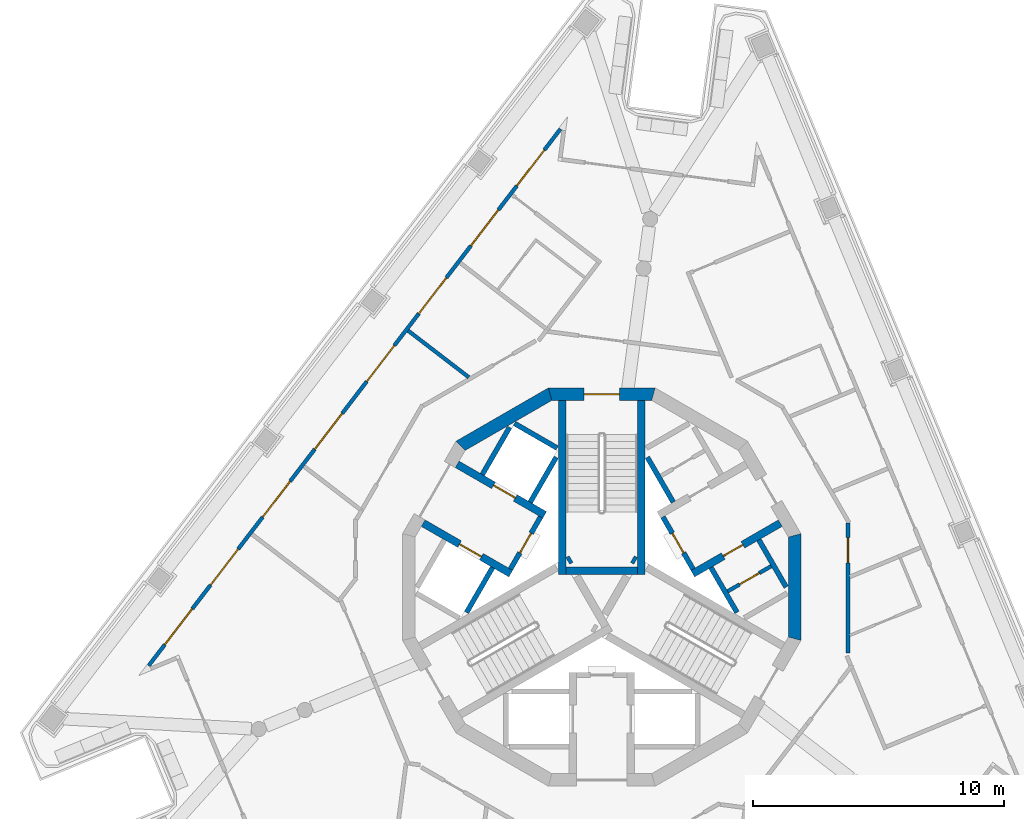
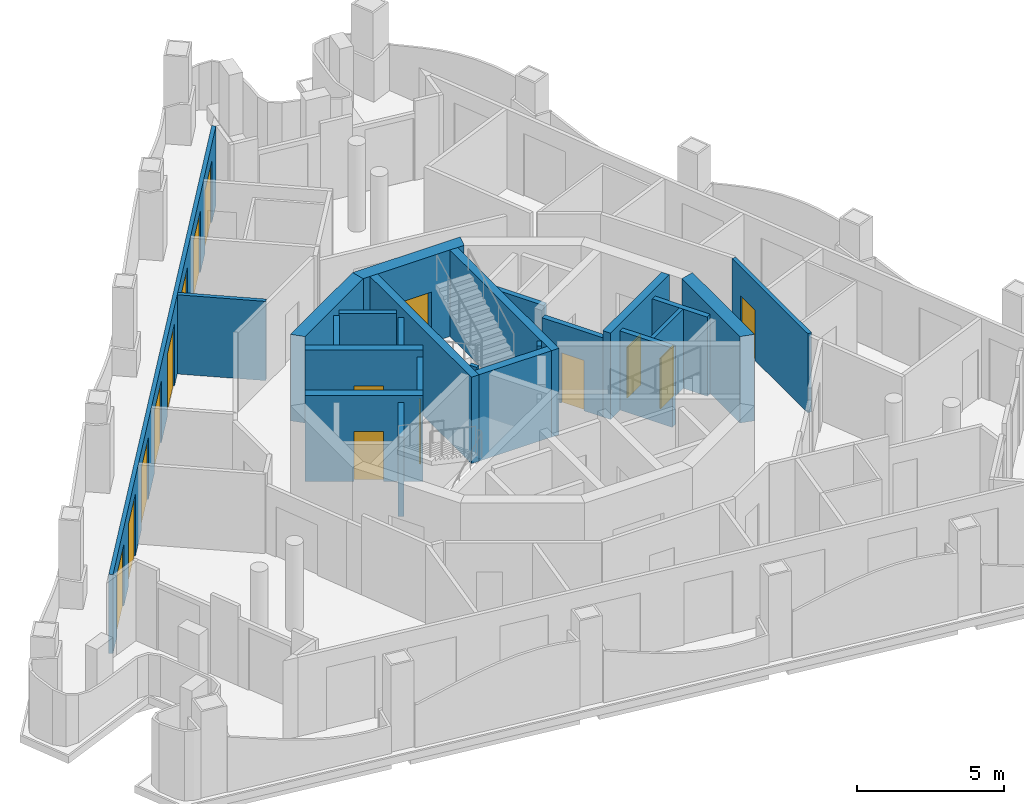
# One storey, part 4 of 13: 24 walls, 16 doors, 16 openings.
"""IFC4 building model written with IfcOpenShell, lengths in metres."""

from ifc_helpers import new_model, si_unit, direction, frame, frame_2d, origin, place, context, subcontext, project, spatial, polyline, rectangle, outline, extrude, material, layer, layer_set, type_object, element, fill, save


model = new_model("IFC4")

# Units and contexts
model_context = context("Model", 3, precision=1e-05, world=origin(), true_north=direction((0.0, 1.0)))
body_context = subcontext(model_context, "Body", "Model", "MODEL_VIEW")
ifc_project = project(units=[si_unit("LENGTHUNIT", "METRE"), si_unit("AREAUNIT", "SQUARE_METRE"), si_unit("VOLUMEUNIT", "CUBIC_METRE"), si_unit("PLANEANGLEUNIT", "RADIAN"), si_unit("MASSUNIT", "GRAM", prefix="KILO")], contexts=[model_context])

# Site, building, storey
site_placement = place(None, origin())
site = spatial("IfcSite", under=ifc_project, at=site_placement, CompositionType="ELEMENT")
building_placement = place(site_placement, origin())
building = spatial("IfcBuilding", under=site, at=building_placement, Name="Trine Commons Tower", CompositionType="ELEMENT")
storey_placement = place(building_placement, frame((0.0, 0.0, 286.199951171875)))
storey = spatial("IfcBuildingStorey", under=building, at=storey_placement, Name="L75", CompositionType="ELEMENT", Elevation=286.199951171875)

# Wall, opening, door
ifc_material_1 = material(Name="Plasterboard partition on steel studs", Category="steel")
ifc_layer_1 = layer(ifc_material_1, 0.14990234375)
ifc_layer_set_1 = layer_set([ifc_layer_1], Name="Plasterboard partition on steel studs")
wall_type_1 = type_object("IfcWallType", Name="Core room partition 150 mm, EI 60", PredefinedType="PARTITIONING", material=ifc_layer_set_1)
wall_1_placement = place(storey_placement, frame((85.006103515625, 62.330078125, 0.0), z_axis=(0.0, 0.0, 1.0), x_axis=(0.866010750942, 0.50002537861, 0.0)))
wall_1 = element("IfcWall", 1, at=wall_1_placement, inside=storey, type_object=wall_type_1, Name="Core room partition L75", PredefinedType="PARTITIONING", context=body_context, shape_type="SweptSolid", body=[
    extrude(rectangle(XDim=2.0, YDim=0.14990234375, at=frame_2d((1.0, 0.0))), origin(), (0.0, 0.0, 1.0), 3.300048828125),
])
opening_1_placement = place(wall_1_placement, frame((0.549560546875, 0.0, 0.0)))
opening_1 = element("IfcOpeningElement", 2, at=opening_1_placement, cuts=wall_1, Name="Opening K19.13", PredefinedType="OPENING", context=body_context, shape_type="SweptSolid", body=[
    extrude(rectangle(XDim=0.89990234375, YDim=2.10009765625, at=frame_2d((0.449951171875, 1.050048828125))), frame((0.0, 0.0849609375, 0.0), z_axis=(0.0, -1.0, 0.0), x_axis=(1.0, 0.0, 0.0)), (0.0, 0.0, 1.0), 0.169921875),
])
ifc_material_2 = material(Name="Steel door leaf, fire-rated", Category="steel")
door_type_1 = type_object("IfcDoorType", Name="Core room door, single leaf 900 x 2100, FD30S", OperationType="SINGLE_SWING_LEFT", PredefinedType="DOOR", material=ifc_material_2)
door_1_placement = place(opening_1_placement, frame((0.89990234375, 0.0, 0.0), z_axis=(0.0, 0.0, 1.0), x_axis=(-1.0, 0.0, 0.0)))
door_1 = element("IfcDoor", 3, at=door_1_placement, inside=storey, type_object=door_type_1, Name="Door to Parcel store L75", OperationType="SINGLE_SWING_LEFT", OverallHeight=2.10009765625, OverallWidth=0.89990234375, PredefinedType="DOOR", context=body_context, shape_type="SweptSolid", body=[
    extrude(rectangle(XDim=0.89990234375, YDim=2.10009765625, at=frame_2d((0.449951171875, 1.050048828125))), frame((0.0, 0.02490234375, 0.0), z_axis=(0.0, -1.0, 0.0), x_axis=(1.0, 0.0, 0.0)), (0.0, 0.0, 1.0), 0.050048828125),
])
fill(opening_1, door_1)

# Wall, openings, doors
ifc_material_3 = material(Name="Aluminium-framed insulated wall panel", Category="aluminium")
ifc_layer_2 = layer(ifc_material_3, 0.14990234375)
ifc_layer_set_2 = layer_set([ifc_layer_2], Name="Aluminium-framed insulated wall panel")
wall_type_2 = type_object("IfcWallType", Name="Glazed frame wall 150, EI 60", PredefinedType="SOLIDWALL", material=ifc_layer_set_2)
wall_2_placement = place(storey_placement, frame((61.8876953125, 59.251708984375, 0.0), z_axis=(0.0, 0.0, 1.0), x_axis=(0.608757974151, 0.793355991284, 0.0)))
wall_2 = element("IfcWall", 4, at=wall_2_placement, inside=storey, type_object=wall_type_2, Name="Glazed frame wall F1", PredefinedType="SOLIDWALL", context=body_context, shape_type="SweptSolid", body=[
    extrude(outline(polyline([(0.1494140625, 0.074951171875), (0.1494140625, -0.074951171875), (27.056884765625, -0.074951171875), (27.056884765625, 0.074951171875), (0.1494140625, 0.074951171875)])), origin(), (0.0, 0.0, 1.0), 3.300048828125),
])
opening_2_placement = place(wall_2_placement, frame((1.200439453125, 0.0, 0.0)))
opening_2 = element("IfcOpeningElement", 5, at=opening_2_placement, cuts=wall_2, Name="Opening BD-8F1-01", PredefinedType="OPENING", context=body_context, shape_type="SweptSolid", body=[
    extrude(rectangle(XDim=1.800048828125, YDim=2.60009765625, at=frame_2d((0.89990234375, 1.300048828125))), frame((0.0, 0.0849609375, 0.0), z_axis=(0.0, -1.0, 0.0), x_axis=(1.0, 0.0, 0.0)), (0.0, 0.0, 1.0), 0.169921875),
])
opening_3_placement = place(wall_2_placement, frame((4.201171875, 0.0, 0.0)))
opening_3 = element("IfcOpeningElement", 6, at=opening_3_placement, cuts=wall_2, Name="Opening BD-8F1-02", PredefinedType="OPENING", context=body_context, shape_type="SweptSolid", body=[
    extrude(rectangle(XDim=1.800048828125, YDim=2.60009765625, at=frame_2d((0.89990234375, 1.300048828125))), frame((0.0, 0.0849609375, 0.0), z_axis=(0.0, -1.0, 0.0), x_axis=(1.0, 0.0, 0.0)), (0.0, 0.0, 1.0), 0.169921875),
])
opening_4_placement = place(wall_2_placement, frame((7.60205078125, 0.0, 0.0)))
opening_4 = element("IfcOpeningElement", 7, at=opening_4_placement, cuts=wall_2, Name="Opening BD-8F1-03", PredefinedType="OPENING", context=body_context, shape_type="SweptSolid", body=[
    extrude(rectangle(XDim=1.800048828125, YDim=2.60009765625, at=frame_2d((0.89990234375, 1.300048828125))), frame((0.0, 0.0849609375, 0.0), z_axis=(0.0, -1.0, 0.0), x_axis=(1.0, 0.0, 0.0)), (0.0, 0.0, 1.0), 0.169921875),
])
opening_5_placement = place(wall_2_placement, frame((11.002685546875, 0.0, 0.0)))
opening_5 = element("IfcOpeningElement", 8, at=opening_5_placement, cuts=wall_2, Name="Opening BD-8F1-04", PredefinedType="OPENING", context=body_context, shape_type="SweptSolid", body=[
    extrude(rectangle(XDim=1.800048828125, YDim=2.60009765625, at=frame_2d((0.89990234375, 1.300048828125))), frame((0.0, 0.0849609375, 0.0), z_axis=(0.0, -1.0, 0.0), x_axis=(1.0, 0.0, 0.0)), (0.0, 0.0, 1.0), 0.169921875),
])
opening_6_placement = place(wall_2_placement, frame((14.403564453125, 0.0, 0.0)))
opening_6 = element("IfcOpeningElement", 9, at=opening_6_placement, cuts=wall_2, Name="Opening BD-8F1-05", PredefinedType="OPENING", context=body_context, shape_type="SweptSolid", body=[
    extrude(rectangle(XDim=1.800048828125, YDim=2.60009765625, at=frame_2d((0.89990234375, 1.300048828125))), frame((0.0, 0.0849609375, 0.0), z_axis=(0.0, -1.0, 0.0), x_axis=(1.0, 0.0, 0.0)), (0.0, 0.0, 1.0), 0.169921875),
])
opening_7_placement = place(wall_2_placement, frame((17.804443359375, 0.0, 0.0)))
opening_7 = element("IfcOpeningElement", 10, at=opening_7_placement, cuts=wall_2, Name="Opening BD-8F1-06", PredefinedType="OPENING", context=body_context, shape_type="SweptSolid", body=[
    extrude(rectangle(XDim=1.800048828125, YDim=2.60009765625, at=frame_2d((0.89990234375, 1.300048828125))), frame((0.0, 0.0849609375, 0.0), z_axis=(0.0, -1.0, 0.0), x_axis=(1.0, 0.0, 0.0)), (0.0, 0.0, 1.0), 0.169921875),
])
opening_8_placement = place(wall_2_placement, frame((21.205078125, 0.0, 0.0)))
opening_8 = element("IfcOpeningElement", 11, at=opening_8_placement, cuts=wall_2, Name="Opening BD-8F1-07", PredefinedType="OPENING", context=body_context, shape_type="SweptSolid", body=[
    extrude(rectangle(XDim=1.800048828125, YDim=2.60009765625, at=frame_2d((0.89990234375, 1.300048828125))), frame((0.0, 0.0849609375, 0.0), z_axis=(0.0, -1.0, 0.0), x_axis=(1.0, 0.0, 0.0)), (0.0, 0.0, 1.0), 0.169921875),
])
opening_9_placement = place(wall_2_placement, frame((24.2060546875, 0.0, 0.0)))
opening_9 = element("IfcOpeningElement", 12, at=opening_9_placement, cuts=wall_2, Name="Opening BD-8F1-08", PredefinedType="OPENING", context=body_context, shape_type="SweptSolid", body=[
    extrude(rectangle(XDim=1.800048828125, YDim=2.60009765625, at=frame_2d((0.89990234375, 1.300048828125))), frame((0.0, 0.0849609375, 0.0), z_axis=(0.0, -1.0, 0.0), x_axis=(1.0, 0.0, 0.0)), (0.0, 0.0, 1.0), 0.169921875),
])
ifc_material_4 = material(Name="Anodised aluminium frame with double glazing", Category="aluminium")
door_type_2 = type_object("IfcDoorType", Name="Sliding loggia door 1800x2600", OperationType="SLIDING_TO_LEFT", PredefinedType="DOOR", material=ifc_material_4)
door_2_placement = place(opening_2_placement, origin())
door_2 = element("IfcDoor", 13, at=door_2_placement, inside=storey, type_object=door_type_2, Name="Loggia door F1 1", OperationType="SLIDING_TO_LEFT", OverallHeight=2.60009765625, OverallWidth=1.800048828125, PredefinedType="DOOR", context=body_context, shape_type="SweptSolid", body=[
    extrude(rectangle(XDim=1.800048828125, YDim=2.60009765625, at=frame_2d((0.89990234375, 1.300048828125))), frame((0.0, 0.02490234375, 0.0), z_axis=(0.0, -1.0, 0.0), x_axis=(1.0, 0.0, 0.0)), (0.0, 0.0, 1.0), 0.050048828125),
])
fill(opening_2, door_2)
door_3_placement = place(opening_3_placement, origin())
door_3 = element("IfcDoor", 14, at=door_3_placement, inside=storey, type_object=door_type_2, Name="Loggia door F1 2", OperationType="SLIDING_TO_LEFT", OverallHeight=2.60009765625, OverallWidth=1.800048828125, PredefinedType="DOOR", context=body_context, shape_type="SweptSolid", body=[
    extrude(rectangle(XDim=1.800048828125, YDim=2.60009765625, at=frame_2d((0.89990234375, 1.300048828125))), frame((0.0, 0.02490234375, 0.0), z_axis=(0.0, -1.0, 0.0), x_axis=(1.0, 0.0, 0.0)), (0.0, 0.0, 1.0), 0.050048828125),
])
fill(opening_3, door_3)
door_4_placement = place(opening_4_placement, origin())
door_4 = element("IfcDoor", 15, at=door_4_placement, inside=storey, type_object=door_type_2, Name="Loggia door F1 3", OperationType="SLIDING_TO_LEFT", OverallHeight=2.60009765625, OverallWidth=1.800048828125, PredefinedType="DOOR", context=body_context, shape_type="SweptSolid", body=[
    extrude(rectangle(XDim=1.800048828125, YDim=2.60009765625, at=frame_2d((0.89990234375, 1.300048828125))), frame((0.0, 0.02490234375, 0.0), z_axis=(0.0, -1.0, 0.0), x_axis=(1.0, 0.0, 0.0)), (0.0, 0.0, 1.0), 0.050048828125),
])
fill(opening_4, door_4)
door_5_placement = place(opening_5_placement, origin())
door_5 = element("IfcDoor", 16, at=door_5_placement, inside=storey, type_object=door_type_2, Name="Loggia door F1 4", OperationType="SLIDING_TO_LEFT", OverallHeight=2.60009765625, OverallWidth=1.800048828125, PredefinedType="DOOR", context=body_context, shape_type="SweptSolid", body=[
    extrude(rectangle(XDim=1.800048828125, YDim=2.60009765625, at=frame_2d((0.89990234375, 1.300048828125))), frame((0.0, 0.02490234375, 0.0), z_axis=(0.0, -1.0, 0.0), x_axis=(1.0, 0.0, 0.0)), (0.0, 0.0, 1.0), 0.050048828125),
])
fill(opening_5, door_5)
door_6_placement = place(opening_6_placement, origin())
door_6 = element("IfcDoor", 17, at=door_6_placement, inside=storey, type_object=door_type_2, Name="Loggia door F1 5", OperationType="SLIDING_TO_LEFT", OverallHeight=2.60009765625, OverallWidth=1.800048828125, PredefinedType="DOOR", context=body_context, shape_type="SweptSolid", body=[
    extrude(rectangle(XDim=1.800048828125, YDim=2.60009765625, at=frame_2d((0.89990234375, 1.300048828125))), frame((0.0, 0.02490234375, 0.0), z_axis=(0.0, -1.0, 0.0), x_axis=(1.0, 0.0, 0.0)), (0.0, 0.0, 1.0), 0.050048828125),
])
fill(opening_6, door_6)
door_7_placement = place(opening_7_placement, origin())
door_7 = element("IfcDoor", 18, at=door_7_placement, inside=storey, type_object=door_type_2, Name="Loggia door F1 6", OperationType="SLIDING_TO_LEFT", OverallHeight=2.60009765625, OverallWidth=1.800048828125, PredefinedType="DOOR", context=body_context, shape_type="SweptSolid", body=[
    extrude(rectangle(XDim=1.800048828125, YDim=2.60009765625, at=frame_2d((0.89990234375, 1.300048828125))), frame((0.0, 0.02490234375, 0.0), z_axis=(0.0, -1.0, 0.0), x_axis=(1.0, 0.0, 0.0)), (0.0, 0.0, 1.0), 0.050048828125),
])
fill(opening_7, door_7)
door_8_placement = place(opening_8_placement, origin())
door_8 = element("IfcDoor", 19, at=door_8_placement, inside=storey, type_object=door_type_2, Name="Loggia door F1 7", OperationType="SLIDING_TO_LEFT", OverallHeight=2.60009765625, OverallWidth=1.800048828125, PredefinedType="DOOR", context=body_context, shape_type="SweptSolid", body=[
    extrude(rectangle(XDim=1.800048828125, YDim=2.60009765625, at=frame_2d((0.89990234375, 1.300048828125))), frame((0.0, 0.02490234375, 0.0), z_axis=(0.0, -1.0, 0.0), x_axis=(1.0, 0.0, 0.0)), (0.0, 0.0, 1.0), 0.050048828125),
])
fill(opening_8, door_8)
door_9_placement = place(opening_9_placement, origin())
door_9 = element("IfcDoor", 20, at=door_9_placement, inside=storey, type_object=door_type_2, Name="Loggia door F1 8", OperationType="SLIDING_TO_LEFT", OverallHeight=2.60009765625, OverallWidth=1.800048828125, PredefinedType="DOOR", context=body_context, shape_type="SweptSolid", body=[
    extrude(rectangle(XDim=1.800048828125, YDim=2.60009765625, at=frame_2d((0.89990234375, 1.300048828125))), frame((0.0, 0.02490234375, 0.0), z_axis=(0.0, -1.0, 0.0), x_axis=(1.0, 0.0, 0.0)), (0.0, 0.0, 1.0), 0.050048828125),
])
fill(opening_9, door_9)

# Wall, opening, door
ifc_material_5 = material(Name="Fire-rated gypsum shaft wall system")
ifc_layer_3 = layer(ifc_material_5, 0.199951171875)
ifc_layer_set_3 = layer_set([ifc_layer_3], Name="Fire-rated gypsum shaft wall system")
wall_type_3 = type_object("IfcWallType", Name="Lobby end wall 200 mm, EI 120", PredefinedType="PARTITIONING", material=ifc_layer_set_3)
wall_3_placement = place(storey_placement, frame((77.569091796875, 65.2890625, 0.0), z_axis=(0.0, 0.0, 1.0), x_axis=(-0.50012165622, -0.865955154139, 0.0)))
wall_3 = element("IfcWall", 21, at=wall_3_placement, inside=storey, type_object=wall_type_3, Name="Lobby end wall L75", PredefinedType="PARTITIONING", context=body_context, shape_type="SweptSolid", body=[
    extrude(rectangle(XDim=2.39990234375, YDim=0.199951171875, at=frame_2d((1.199951171875, 0.0))), origin(), (0.0, 0.0, 1.0), 3.300048828125),
])
opening_10_placement = place(wall_3_placement, frame((0.749755859375, 0.0, 0.0)))
opening_10 = element("IfcOpeningElement", 22, at=opening_10_placement, cuts=wall_3, Name="Opening K19.07", PredefinedType="OPENING", context=body_context, shape_type="SweptSolid", body=[
    extrude(rectangle(XDim=0.89990234375, YDim=2.10009765625, at=frame_2d((0.449951171875, 1.050048828125))), frame((0.0, 0.10986328125, 0.0), z_axis=(0.0, -1.0, 0.0), x_axis=(1.0, 0.0, 0.0)), (0.0, 0.0, 1.0), 0.219970703125),
])
door_type_3 = type_object("IfcDoorType", Name="Riser access door, single leaf 900 x 2100, FD60", OperationType="SINGLE_SWING_LEFT", PredefinedType="DOOR", material=ifc_material_2)
door_10_placement = place(opening_10_placement, frame((0.89990234375, 0.0, 0.0), z_axis=(0.0, 0.0, 1.0), x_axis=(-1.0, 0.0, 0.0)))
door_10 = element("IfcDoor", 23, at=door_10_placement, inside=storey, type_object=door_type_3, Name="Riser door, Mechanical riser L75", OperationType="SINGLE_SWING_RIGHT", OverallHeight=2.10009765625, OverallWidth=0.89990234375, PredefinedType="DOOR", context=body_context, shape_type="SweptSolid", body=[
    extrude(rectangle(XDim=0.89990234375, YDim=2.10009765625, at=frame_2d((0.449951171875, 1.050048828125))), frame((0.0, 0.02490234375, 0.0), z_axis=(0.0, -1.0, 0.0), x_axis=(1.0, 0.0, 0.0)), (0.0, 0.0, 1.0), 0.050048828125),
])
fill(opening_10, door_10)

wall_4_placement = place(storey_placement, frame((83.631103515625, 63.2109375, 0.0), z_axis=(0.0, 0.0, 1.0), x_axis=(-0.50012165622, 0.865955154139, 0.0)))
wall_4 = element("IfcWall", 24, at=wall_4_placement, inside=storey, type_object=wall_type_3, Name="Lobby end wall L75", PredefinedType="PARTITIONING", context=body_context, shape_type="SweptSolid", body=[
    extrude(rectangle(XDim=2.39990234375, YDim=0.199951171875, at=frame_2d((1.199951171875, 0.0))), origin(), (0.0, 0.0, 1.0), 3.300048828125),
])
opening_11_placement = place(wall_4_placement, frame((0.749755859375, 0.0, 0.0)))
opening_11 = element("IfcOpeningElement", 25, at=opening_11_placement, cuts=wall_4, Name="Opening K19.05", PredefinedType="OPENING", context=body_context, shape_type="SweptSolid", body=[
    extrude(rectangle(XDim=0.89990234375, YDim=2.10009765625, at=frame_2d((0.449951171875, 1.050048828125))), frame((0.0, 0.10986328125, 0.0), z_axis=(0.0, -1.0, 0.0), x_axis=(1.0, 0.0, 0.0)), (0.0, 0.0, 1.0), 0.219970703125),
])
door_11_placement = place(opening_11_placement, frame((0.89990234375, 0.0, 0.0), z_axis=(0.0, 0.0, 1.0), x_axis=(-1.0, 0.0, 0.0)))
door_11 = element("IfcDoor", 26, at=door_11_placement, inside=storey, type_object=door_type_3, Name="Riser door, Electrical riser L75", OperationType="SINGLE_SWING_LEFT", OverallHeight=2.10009765625, OverallWidth=0.89990234375, PredefinedType="DOOR", context=body_context, shape_type="SweptSolid", body=[
    extrude(rectangle(XDim=0.89990234375, YDim=2.10009765625, at=frame_2d((0.449951171875, 1.050048828125))), frame((0.0, 0.02490234375, 0.0), z_axis=(0.0, -1.0, 0.0), x_axis=(1.0, 0.0, 0.0)), (0.0, 0.0, 1.0), 0.050048828125),
])
fill(opening_11, door_11)

ifc_material_6 = material(Name="Concrete C50/60", Category="concrete")
ifc_layer_4 = layer(ifc_material_6, 0.300048828125)
ifc_layer_set_4 = layer_set([ifc_layer_4], Name="Concrete C50/60")
wall_type_4 = type_object("IfcWallType", Name="RC shear wall 300 mm, C50/60", PredefinedType="SHEAR", material=ifc_layer_set_4)
wall_5_placement = place(storey_placement, frame((76.381103515625, 63.031005859375, 0.0), z_axis=(0.0, 0.0, 1.0), x_axis=(-0.866071331441, 0.499920442526, 0.0)))
wall_5 = element("IfcWall", 27, at=wall_5_placement, inside=storey, type_object=wall_type_4, Name="Core cross wall SWD-01 L75", PredefinedType="SHEAR", context=body_context, shape_type="SweptSolid", body=[
    extrude(rectangle(XDim=4.020751953125, YDim=0.300048828125, at=frame_2d((2.01025390625, 0.0))), origin(), (0.0, 0.0, 1.0), 3.60009765625),
])
opening_12_placement = place(wall_5_placement, frame((1.350341796875, 0.0, 0.0)))
opening_12 = element("IfcOpeningElement", 28, at=opening_12_placement, cuts=wall_5, Name="Opening LD7", PredefinedType="OPENING", context=body_context, shape_type="SweptSolid", body=[
    extrude(rectangle(XDim=1.0, YDim=2.10009765625, at=frame_2d((0.5, 1.050048828125))), frame((0.0, 0.159912109375, 0.0), z_axis=(0.0, -1.0, 0.0), x_axis=(1.0, 0.0, 0.0)), (0.0, 0.0, 1.0), 0.320068359375),
])
ifc_material_7 = material(Name="Stainless steel sliding door leaves", Category="steel")
door_type_4 = type_object("IfcDoorType", Name="Lift landing door, centre-opening sliding 1000 x 2100, FD90", OperationType="DOUBLE_DOOR_SLIDING", PredefinedType="DOOR", material=ifc_material_7)
door_12_placement = place(opening_12_placement, origin())
door_12 = element("IfcDoor", 29, at=door_12_placement, inside=storey, type_object=door_type_4, Name="Lift landing door HR3 L75", OperationType="DOUBLE_DOOR_SLIDING", OverallHeight=2.10009765625, OverallWidth=1.0, PredefinedType="DOOR", context=body_context, shape_type="SweptSolid", body=[
    extrude(rectangle(XDim=1.0, YDim=2.10009765625, at=frame_2d((0.5, 1.050048828125))), frame((0.0, 0.02490234375, 0.0), z_axis=(0.0, -1.0, 0.0), x_axis=(1.0, 0.0, 0.0)), (0.0, 0.0, 1.0), 0.050048828125),
])
fill(opening_12, door_12)

wall_6_placement = place(storey_placement, frame((77.73095703125, 65.368896484375, 0.0), z_axis=(0.0, 0.0, 1.0), x_axis=(-0.866056154689, 0.499946734088, 0.0)))
wall_6 = element("IfcWall", 30, at=wall_6_placement, inside=storey, type_object=wall_type_4, Name="Core cross wall SWD-02 L75", PredefinedType="SHEAR", context=body_context, shape_type="SweptSolid", body=[
    extrude(rectangle(XDim=4.0205078125, YDim=0.300048828125, at=frame_2d((2.01025390625, 0.0))), origin(), (0.0, 0.0, 1.0), 3.60009765625),
])
opening_13_placement = place(wall_6_placement, frame((1.350341796875, 0.0, 0.0)))
opening_13 = element("IfcOpeningElement", 31, at=opening_13_placement, cuts=wall_6, Name="Opening LD8", PredefinedType="OPENING", context=body_context, shape_type="SweptSolid", body=[
    extrude(rectangle(XDim=1.0, YDim=2.10009765625, at=frame_2d((0.5, 1.050048828125))), frame((0.0, 0.159912109375, 0.0), z_axis=(0.0, -1.0, 0.0), x_axis=(1.0, 0.0, 0.0)), (0.0, 0.0, 1.0), 0.320068359375),
])
door_13_placement = place(opening_13_placement, origin())
door_13 = element("IfcDoor", 32, at=door_13_placement, inside=storey, type_object=door_type_4, Name="Lift landing door HR4 L75", OperationType="DOUBLE_DOOR_SLIDING", OverallHeight=2.10009765625, OverallWidth=1.0, PredefinedType="DOOR", context=body_context, shape_type="SweptSolid", body=[
    extrude(rectangle(XDim=1.0, YDim=2.10009765625, at=frame_2d((0.5, 1.050048828125))), frame((0.0, 0.02490234375, 0.0), z_axis=(0.0, -1.0, 0.0), x_axis=(1.0, 0.0, 0.0)), (0.0, 0.0, 1.0), 0.050048828125),
])
fill(opening_13, door_13)

wall_7_placement = place(storey_placement, frame((83.618896484375, 63.031005859375, 0.0), z_axis=(0.0, 0.0, 1.0), x_axis=(0.866071331441, 0.499920442526, 0.0)))
wall_7 = element("IfcWall", 33, at=wall_7_placement, inside=storey, type_object=wall_type_4, Name="Core cross wall SWD-06 L75", PredefinedType="SHEAR", context=body_context, shape_type="SweptSolid", body=[
    extrude(rectangle(XDim=4.020751953125, YDim=0.300048828125, at=frame_2d((2.01025390625, 0.0))), origin(), (0.0, 0.0, 1.0), 3.60009765625),
])
opening_14_placement = place(wall_7_placement, frame((1.400390625, 0.0, 0.0)))
opening_14 = element("IfcOpeningElement", 34, at=opening_14_placement, cuts=wall_7, Name="Opening K19.12", PredefinedType="OPENING", context=body_context, shape_type="SweptSolid", body=[
    extrude(rectangle(XDim=0.89990234375, YDim=2.10009765625, at=frame_2d((0.449951171875, 1.050048828125))), frame((0.0, 0.159912109375, 0.0), z_axis=(0.0, -1.0, 0.0), x_axis=(1.0, 0.0, 0.0)), (0.0, 0.0, 1.0), 0.320068359375),
])
door_14_placement = place(opening_14_placement, frame((0.89990234375, 0.0, 0.0), z_axis=(0.0, 0.0, 1.0), x_axis=(-1.0, 0.0, 0.0)))
door_14 = element("IfcDoor", 35, at=door_14_placement, inside=storey, type_object=door_type_1, Name="Door to Comms room L75", OperationType="SINGLE_SWING_LEFT", OverallHeight=2.10009765625, OverallWidth=0.89990234375, PredefinedType="DOOR", context=body_context, shape_type="SweptSolid", body=[
    extrude(rectangle(XDim=0.89990234375, YDim=2.10009765625, at=frame_2d((0.449951171875, 1.050048828125))), frame((0.0, 0.02490234375, 0.0), z_axis=(0.0, -1.0, 0.0), x_axis=(1.0, 0.0, 0.0)), (0.0, 0.0, 1.0), 0.050048828125),
])
fill(opening_14, door_14)

# Walls
wall_8_placement = place(storey_placement, frame((78.425048828125, 63.0009765625, 0.0), z_axis=(0.0, 0.0, 1.0), x_axis=(0.0, 1.0, 0.0)))
element("IfcWall", 36, at=wall_8_placement, inside=storey, type_object=wall_type_4, Name="Core cross wall SWD-08 L75", PredefinedType="SHEAR", context=body_context, shape_type="SweptSolid", body=[
    extrude(rectangle(XDim=6.919921875, YDim=0.300048828125, at=frame_2d((3.4599609375, 0.0))), origin(), (0.0, 0.0, 1.0), 3.60009765625),
])
for number, where, z_axis, x_axis, name in (
    (37, (78.779052734375, 63.614013671875, 0.0), (0.0, 0.0, 1.0), (-0.867737973955, -0.497021939713, 0.0), "Core cross wall SWD-09 L75"),
    (38, (81.220947265625, 63.614013671875, 0.0), (0.0, 0.0, 1.0), (0.867737973955, -0.497021939713, 0.0), "Core cross wall SWD-15 L75"),
):
    element("IfcWall", number, at=place(storey_placement, frame(where, z_axis=z_axis, x_axis=x_axis)), inside=storey, type_object=wall_type_4, Name=name, PredefinedType="SHEAR", context=body_context, shape_type="SweptSolid", body=[
        extrude(rectangle(XDim=0.14892578125, YDim=0.300048828125, at=frame_2d((0.074462890625, 0.0))), origin(), (0.0, 0.0, 1.0), 3.60009765625),
    ])
wall_9_placement = place(storey_placement, frame((81.425048828125, 63.15087890625, 0.0), z_axis=(0.0, 0.0, 1.0), x_axis=(-1.0, 0.0, 0.0)))
element("IfcWall", 39, at=wall_9_placement, inside=storey, type_object=wall_type_4, Name="Core cross wall SWD-16 L75", PredefinedType="SHEAR", context=body_context, shape_type="SweptSolid", body=[
    extrude(rectangle(XDim=2.85009765625, YDim=0.300048828125, at=frame_2d((1.425048828125, 0.0))), origin(), (0.0, 0.0, 1.0), 3.60009765625),
])
wall_10_placement = place(storey_placement, frame((81.574951171875, 63.0009765625, 0.0), z_axis=(0.0, 0.0, 1.0), x_axis=(0.0, 1.0, 0.0)))
element("IfcWall", 40, at=wall_10_placement, inside=storey, type_object=wall_type_4, Name="Core cross wall SWD-17 L75", PredefinedType="SHEAR", context=body_context, shape_type="SweptSolid", body=[
    extrude(rectangle(XDim=6.919921875, YDim=0.300048828125, at=frame_2d((3.4599609375, 0.0))), origin(), (0.0, 0.0, 1.0), 3.60009765625),
])
ifc_layer_5 = layer(ifc_material_6, 0.5)
ifc_layer_set_5 = layer_set([ifc_layer_5], Name="Concrete C50/60")
wall_type_5 = type_object("IfcWallType", Name="RC shear wall 500 mm, C50/60", PredefinedType="SHEAR", material=ifc_layer_set_5)
wall_11_placement = place(storey_placement, frame((87.670654296875, 60.377685546875, 0.0), z_axis=(0.0, 0.0, 1.0), x_axis=(0.0, 1.0, 0.0)))
element("IfcWall", 41, at=wall_11_placement, inside=storey, type_object=wall_type_5, Name="Core wall CWH-01 L75", PredefinedType="SHEAR", context=body_context, shape_type="SweptSolid", body=[
    extrude(outline(polyline([(0.0, -0.25), (4.24462890625, -0.25), (4.110595703125, 0.25), (0.134033203125, 0.25), (0.0, -0.25)])), origin(), (0.0, 0.0, 1.0), 3.60009765625),
])

# Wall, opening, door
wall_12_placement = place(storey_placement, frame((82.122314453125, 70.170654296875, 0.0), z_axis=(0.0, 0.0, 1.0), x_axis=(-1.0, 0.0, 0.0)))
wall_12 = element("IfcWall", 42, at=wall_12_placement, inside=storey, type_object=wall_type_5, Name="Core wall CWH-04 L75", PredefinedType="SHEAR", context=body_context, shape_type="SweptSolid", body=[
    extrude(outline(polyline([(0.0, -0.25), (4.24462890625, -0.25), (4.110595703125, 0.25), (0.134033203125, 0.25), (0.0, -0.25)])), origin(), (0.0, 0.0, 1.0), 3.60009765625),
])
opening_15_placement = place(wall_12_placement, frame((1.42236328125, 0.0, 0.0)))
opening_15 = element("IfcOpeningElement", 43, at=opening_15_placement, cuts=wall_12, Name="Opening K19.01", PredefinedType="OPENING", context=body_context, shape_type="SweptSolid", body=[
    extrude(rectangle(XDim=1.39990234375, YDim=2.10009765625, at=frame_2d((0.699951171875, 1.050048828125))), frame((0.0, 0.260009765625, 0.0), z_axis=(0.0, -1.0, 0.0), x_axis=(1.0, 0.0, 0.0)), (0.0, 0.0, 1.0), 0.52001953125),
])
ifc_material_8 = material(Name="Steel door leaves, fire-rated", Category="steel")
door_type_5 = type_object("IfcDoorType", Name="Stair door, double leaf 1400 x 2100, FD90", OperationType="DOUBLE_DOOR_SINGLE_SWING", PredefinedType="DOOR", material=ifc_material_8)
door_15_placement = place(opening_15_placement, origin())
door_15 = element("IfcDoor", 44, at=door_15_placement, inside=storey, type_object=door_type_5, Name="Stair door to Exit stair ST1D L75", OperationType="DOUBLE_DOOR_SINGLE_SWING", OverallHeight=2.10009765625, OverallWidth=1.39990234375, PredefinedType="DOOR", context=body_context, shape_type="SweptSolid", body=[
    extrude(rectangle(XDim=1.39990234375, YDim=2.10009765625, at=frame_2d((0.699951171875, 1.050048828125))), frame((0.0, 0.02490234375, 0.0), z_axis=(0.0, -1.0, 0.0), x_axis=(1.0, 0.0, 0.0)), (0.0, 0.0, 1.0), 0.050048828125),
])
fill(opening_15, door_15)

# Walls
wall_13_placement = place(storey_placement, frame((78.002685546875, 70.2041015625, 0.0), z_axis=(0.0, 0.0, 1.0), x_axis=(-0.866029463428, -0.499992968425, 0.0)))
element("IfcWall", 45, at=wall_13_placement, inside=storey, type_object=wall_type_5, Name="Core wall CWH-05 L75", PredefinedType="SHEAR", context=body_context, shape_type="SweptSolid", body=[
    extrude(outline(polyline([(0.0, -0.25), (4.24462890625, -0.25), (4.110595703125, 0.25), (0.134033203125, 0.25), (0.0, -0.25)])), origin(), (0.0, 0.0, 1.0), 3.60009765625),
])
ifc_layer_6 = layer(ifc_material_5, 0.199951171875)
ifc_layer_set_6 = layer_set([ifc_layer_6], Name="Fire-rated gypsum shaft wall system")
wall_type_6 = type_object("IfcWallType", Name="Shaft wall 200 mm, EI 120", PredefinedType="PARTITIONING", material=ifc_layer_set_6)
wall_14_placement = place(storey_placement, frame((75.2509765625, 66.97412109375, 0.0), z_axis=(0.0, 0.0, 1.0), x_axis=(0.500060114735, 0.865990693744, 0.0)))
element("IfcWall", 46, at=wall_14_placement, inside=storey, type_object=wall_type_6, Name="Shaft wall L75", PredefinedType="PARTITIONING", context=body_context, shape_type="SweptSolid", body=[
    extrude(rectangle(XDim=2.169677734375, YDim=0.199951171875, at=frame_2d((1.0849609375, 0.0))), origin(), (0.0, 0.0, 1.0), 3.300048828125),
])
wall_15_placement = place(storey_placement, frame((75.656005859375, 63.27587890625, 0.0), z_axis=(0.0, 0.0, 1.0), x_axis=(-0.500271688072, -0.86586848777, 0.0)))
element("IfcWall", 47, at=wall_15_placement, inside=storey, type_object=wall_type_6, Name="Shaft wall L75", PredefinedType="PARTITIONING", context=body_context, shape_type="SweptSolid", body=[
    extrude(rectangle(XDim=2.064697265625, YDim=0.199951171875, at=frame_2d((1.0322265625, 0.0))), origin(), (0.0, 0.0, 1.0), 3.300048828125),
])
wall_16_placement = place(storey_placement, frame((77.156005859375, 65.8740234375, 0.0), z_axis=(0.0, 0.0, 1.0), x_axis=(0.499865770674, 0.866102887253, 0.0)))
element("IfcWall", 48, at=wall_16_placement, inside=storey, type_object=wall_type_6, Name="Shaft wall L75", PredefinedType="PARTITIONING", context=body_context, shape_type="SweptSolid", body=[
    extrude(rectangle(XDim=2.064453125, YDim=0.199951171875, at=frame_2d((1.0322265625, 0.0))), origin(), (0.0, 0.0, 1.0), 3.300048828125),
])
wall_17_placement = place(storey_placement, frame((78.22509765625, 68.028076171875, 0.0), z_axis=(0.0, 0.0, 1.0), x_axis=(-0.866071410914, 0.499920304846, 0.0)))
element("IfcWall", 49, at=wall_17_placement, inside=storey, type_object=wall_type_6, Name="Shaft wall L75", PredefinedType="PARTITIONING", context=body_context, shape_type="SweptSolid", body=[
    extrude(rectangle(XDim=1.958251953125, YDim=0.199951171875, at=frame_2d((0.97900390625, 0.0))), origin(), (0.0, 0.0, 1.0), 3.300048828125),
])
wall_18_placement = place(storey_placement, frame((82.843994140625, 65.8740234375, 0.0), z_axis=(0.0, 0.0, 1.0), x_axis=(-0.499865770674, 0.866102887253, 0.0)))
element("IfcWall", 50, at=wall_18_placement, inside=storey, type_object=wall_type_6, Name="Shaft wall L75", PredefinedType="PARTITIONING", context=body_context, shape_type="SweptSolid", body=[
    extrude(rectangle(XDim=2.064453125, YDim=0.199951171875, at=frame_2d((1.0322265625, 0.0))), origin(), (0.0, 0.0, 1.0), 3.300048828125),
])
wall_19_placement = place(storey_placement, frame((84.343994140625, 63.27587890625, 0.0), z_axis=(0.0, 0.0, 1.0), x_axis=(0.500271688072, -0.86586848777, 0.0)))
element("IfcWall", 51, at=wall_19_placement, inside=storey, type_object=wall_type_6, Name="Shaft wall L75", PredefinedType="PARTITIONING", context=body_context, shape_type="SweptSolid", body=[
    extrude(rectangle(XDim=2.064697265625, YDim=0.199951171875, at=frame_2d((1.0322265625, 0.0))), origin(), (0.0, 0.0, 1.0), 3.300048828125),
])
wall_20_placement = place(storey_placement, frame((86.2490234375, 64.3759765625, 0.0), z_axis=(0.0, 0.0, 1.0), x_axis=(0.499865263774, -0.866103179807, 0.0)))
element("IfcWall", 52, at=wall_20_placement, inside=storey, type_object=wall_type_6, Name="Shaft wall L75", PredefinedType="PARTITIONING", context=body_context, shape_type="SweptSolid", body=[
    extrude(rectangle(XDim=2.17041015625, YDim=0.199951171875, at=frame_2d((1.085205078125, 0.0))), origin(), (0.0, 0.0, 1.0), 3.300048828125),
])
ifc_material_9 = material(Name="Gypsum plasterboard on steel stud", Category="steel")
ifc_layer_7 = layer(ifc_material_9, 0.14990234375)
ifc_layer_set_7 = layer_set([ifc_layer_7], Name="Gypsum plasterboard on steel stud")
wall_type_7 = type_object("IfcWallType", Name="Unit and corridor wall 150 mm, EI 60", PredefinedType="PARTITIONING", material=ifc_layer_set_7)
wall_21_placement = place(storey_placement, frame((72.298583984375, 72.696533203125, 0.0), z_axis=(0.0, 0.0, 1.0), x_axis=(0.793299429492, -0.60883168049, 0.0)))
element("IfcWall", 53, at=wall_21_placement, inside=storey, type_object=wall_type_7, Name="Partition 011", PredefinedType="PARTITIONING", context=body_context, shape_type="SweptSolid", body=[
    extrude(rectangle(XDim=3.048095703125, YDim=0.14990234375, at=frame_2d((1.52392578125, 0.0))), origin(), (0.0, 0.0, 1.0), 3.300048828125),
])

# Wall, opening, door
wall_22_placement = place(storey_placement, frame((89.7958984375, 59.875, 0.0), z_axis=(0.0, 0.0, 1.0), x_axis=(0.0, 1.0, 0.0)))
wall_22 = element("IfcWall", 54, at=wall_22_placement, inside=storey, type_object=wall_type_7, Name="Partition 046", PredefinedType="PARTITIONING", context=body_context, shape_type="SweptSolid", body=[
    extrude(rectangle(XDim=5.175048828125, YDim=0.14990234375, at=frame_2d((2.58740234375, 0.0))), origin(), (0.0, 0.0, 1.0), 3.300048828125),
])
opening_16_placement = place(wall_22_placement, frame((3.587890625, 0.0, 0.0)))
opening_16 = element("IfcOpeningElement", 55, at=opening_16_placement, cuts=wall_22, Name="Opening D-8B10", PredefinedType="OPENING", context=body_context, shape_type="SweptSolid", body=[
    extrude(rectangle(XDim=1.0, YDim=2.10009765625, at=frame_2d((0.5, 1.050048828125))), frame((0.0, 0.0849609375, 0.0), z_axis=(0.0, -1.0, 0.0), x_axis=(1.0, 0.0, 0.0)), (0.0, 0.0, 1.0), 0.169921875),
])
ifc_material_10 = material(Name="Painted timber", Category="wood")
door_type_6 = type_object("IfcDoorType", Name="Toilet door 1000 x 2100, NOT RATED", OperationType="NOTDEFINED", PredefinedType="DOOR", material=ifc_material_10)
door_16_placement = place(opening_16_placement, frame((1.0, 0.0, 0.0), z_axis=(0.0, 0.0, 1.0), x_axis=(-1.0, 0.0, 0.0)))
door_16 = element("IfcDoor", 56, at=door_16_placement, inside=storey, type_object=door_type_6, Name="Door D-8B10", OperationType="SINGLE_SWING_LEFT", OverallHeight=2.10009765625, OverallWidth=1.0, PredefinedType="DOOR", context=body_context, shape_type="SweptSolid", body=[
    extrude(rectangle(XDim=1.0, YDim=2.10009765625, at=frame_2d((0.5, 1.050048828125))), frame((0.0, 0.02490234375, 0.0), z_axis=(0.0, -1.0, 0.0), x_axis=(1.0, 0.0, 0.0)), (0.0, 0.0, 1.0), 0.050048828125),
])
fill(opening_16, door_16)

save(model, "model.ifc")
